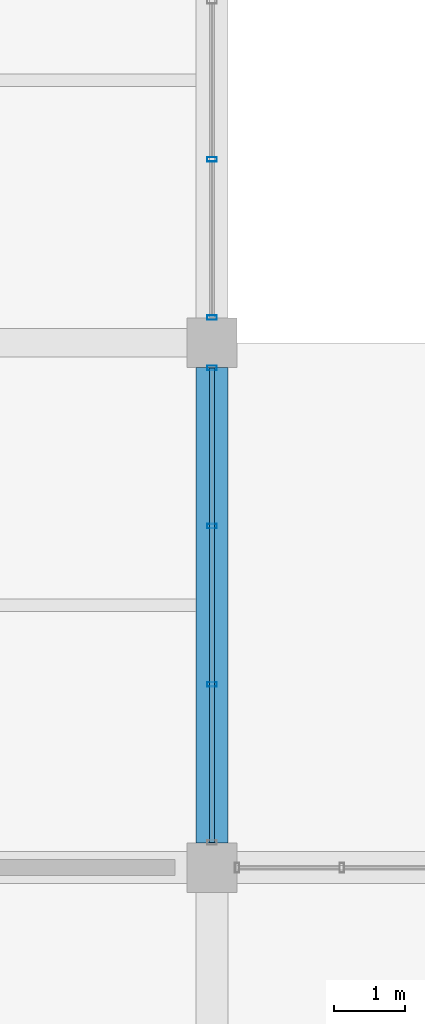
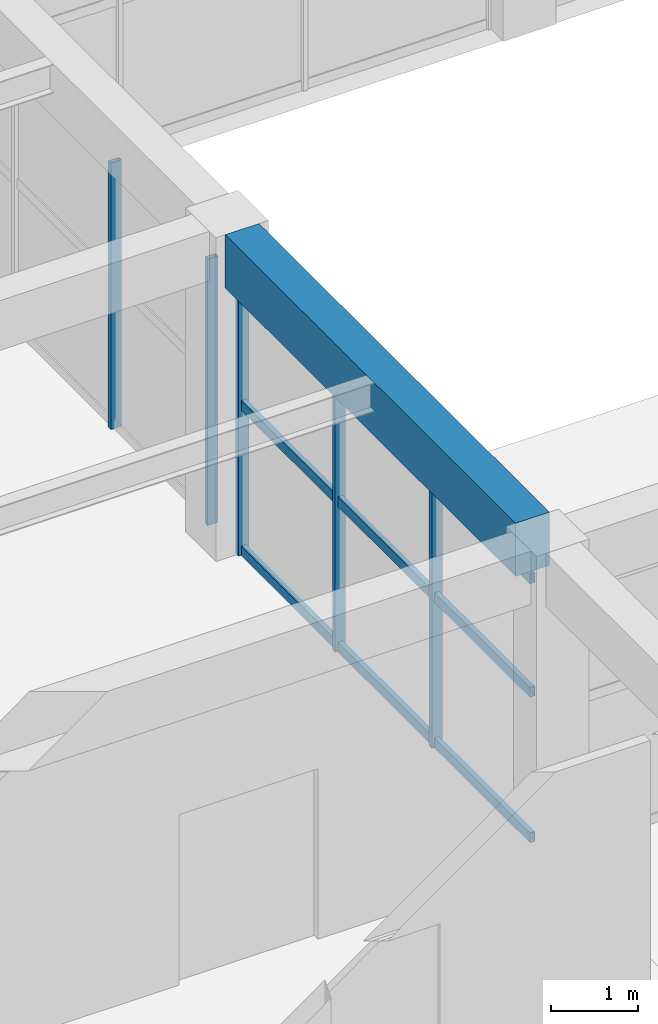
# One storey, part 24 of 161: 8 members, 1 beam, 2 elements without a shape of their own.
"""IFC4 building model written with IfcOpenShell, lengths in metres."""

from ifc_helpers import new_model, si_unit, direction, frame, origin, origin_2d, place, context, subcontext, project, spatial, rectangle, hollow_rectangle, extrude, material, material_profile, profile_set, type_object, element, aggregate, save


model = new_model("IFC4")

# Units and contexts
model_context = context("Model", 3, precision=1e-05, world=origin(), true_north=direction((0.0, 1.0)))
body_context = subcontext(model_context, "Body", "Model", "MODEL_VIEW")
ifc_project = project(units=[si_unit("LENGTHUNIT", "METRE"), si_unit("AREAUNIT", "SQUARE_METRE"), si_unit("VOLUMEUNIT", "CUBIC_METRE"), si_unit("PLANEANGLEUNIT", "RADIAN"), si_unit("MASSUNIT", "GRAM", prefix="KILO")], contexts=[model_context])

# Site, building, storey
site_placement = place(None, origin())
site = spatial("IfcSite", under=ifc_project, at=site_placement, CompositionType="ELEMENT")
building_placement = place(site_placement, origin())
building = spatial("IfcBuilding", under=site, at=building_placement, Name="Cimatlan Art Gallery", CompositionType="ELEMENT")
storey_placement = place(building_placement, frame((0.0, 0.0, 5.39990234375)))
storey = spatial("IfcBuildingStorey", under=building, at=storey_placement, Name="L01", CompositionType="ELEMENT", Elevation=5.39990234375)

# Beam
ifc_material_1 = material(Name="Concrete C40/50", Category="concrete")
ifc_material_profile_1 = material_profile(ifc_material_1, rectangle(XDim=0.449951171875, YDim=0.75, at=origin_2d()), Name="RC450X750")
ifc_profile_set_1 = profile_set([ifc_material_profile_1], Name="Concrete C40/50")
beam_type = type_object("IfcBeamType", Name="BM-RC-450X750", PredefinedType="BEAM", material=ifc_profile_set_1)
beam_placement = place(storey_placement, frame((50.60009765625, 39.050048828125, 4.18505859375), z_axis=(0.0, 1.0, 0.0), x_axis=(-1.0, 0.0, 0.0)))
element("IfcBeam", 1, at=beam_placement, inside=storey, type_object=beam_type, Name="BM-Y-L01-06-05", PredefinedType="BEAM", context=body_context, shape_type="SweptSolid", body=[
    extrude(rectangle(XDim=0.449951171875, YDim=0.75, at=origin_2d()), origin(), (0.0, 0.0, 1.0), 6.699951171875),
])

# Curtain wall, members
ifc_material_2 = material(Name="Anodised bronze unitised curtain wall")
curtain_wall_type_1 = type_object("IfcCurtainWallType", Name="CW-V-06692X03765-B3", PredefinedType="NOTDEFINED", material=ifc_material_2)
curtain_wall_1_placement = place(storey_placement, origin())
curtain_wall_1 = element("IfcCurtainWall", 2, at=curtain_wall_1_placement, inside=storey, type_object=curtain_wall_type_1, Name="CW-L01-05-05-E", PredefinedType="NOTDEFINED")
ifc_material_3 = material(Name="Anodised bronze aluminium 6063-T6", Category="aluminium")
ifc_material_profile_2 = material_profile(ifc_material_3, hollow_rectangle(XDim=0.06494140625, YDim=0.139892578125, WallThickness=0.00390625, at=origin_2d()), Name="ALU65X140X4")
ifc_profile_set_2 = profile_set([ifc_material_profile_2], Name="Anodised bronze aluminium 6063-T6")
member_type_1 = type_object("IfcMemberType", Name="CW-MUL-140", PredefinedType="MULLION", material=ifc_profile_set_2)
member_1_placement = place(storey_placement, frame((50.60009765625, 45.74609375, 0.0), z_axis=(0.0, 0.0, 1.0), x_axis=(0.0, 1.0, 0.0)))
member_1 = element("IfcMember", 3, at=member_1_placement, type_object=member_type_1, Name="CW-L01-05-05-E-M1", PredefinedType="MULLION", context=body_context, shape_type="SweptSolid", body=[
    extrude(hollow_rectangle(XDim=0.06494140625, YDim=0.139892578125, WallThickness=0.00390625, at=origin_2d()), origin(), (0.0, 0.0, 1.0), 3.76513671875),
])
member_2_placement = place(storey_placement, frame((50.60009765625, 43.515380859375, 0.0), z_axis=(0.0, 0.0, 1.0), x_axis=(0.0, 1.0, 0.0)))
member_2 = element("IfcMember", 4, at=member_2_placement, type_object=member_type_1, Name="CW-L01-05-05-E-M2", PredefinedType="MULLION", context=body_context, shape_type="SweptSolid", body=[
    extrude(hollow_rectangle(XDim=0.06494140625, YDim=0.139892578125, WallThickness=0.00390625, at=origin_2d()), origin(), (0.0, 0.0, 1.0), 3.76513671875),
])
member_3_placement = place(storey_placement, frame((50.60009765625, 41.28466796875, 0.0), z_axis=(0.0, 0.0, 1.0), x_axis=(0.0, 1.0, 0.0)))
member_3 = element("IfcMember", 5, at=member_3_placement, type_object=member_type_1, Name="CW-L01-05-05-E-M3", PredefinedType="MULLION", context=body_context, shape_type="SweptSolid", body=[
    extrude(hollow_rectangle(XDim=0.06494140625, YDim=0.139892578125, WallThickness=0.00390625, at=origin_2d()), origin(), (0.0, 0.0, 1.0), 3.76513671875),
])

curtain_wall_type_2 = type_object("IfcCurtainWallType", Name="CW-V-06692X03750-B3", PredefinedType="NOTDEFINED", material=ifc_material_2)
curtain_wall_2_placement = place(storey_placement, origin())
curtain_wall_2 = element("IfcCurtainWall", 6, at=curtain_wall_2_placement, inside=storey, type_object=curtain_wall_type_2, Name="CW-L01-05-06-E", PredefinedType="NOTDEFINED")
member_4_placement = place(storey_placement, frame((50.60009765625, 48.6845703125, 0.0), z_axis=(0.0, 0.0, 1.0), x_axis=(0.0, 1.0, 0.0)))
member_4 = element("IfcMember", 7, at=member_4_placement, type_object=member_type_1, Name="CW-L01-05-06-E-M3", PredefinedType="MULLION", context=body_context, shape_type="SweptSolid", body=[
    extrude(hollow_rectangle(XDim=0.06494140625, YDim=0.139892578125, WallThickness=0.00390625, at=origin_2d()), origin(), (0.0, 0.0, 1.0), 3.75),
])
member_5_placement = place(storey_placement, frame((50.60009765625, 46.4541015625, 0.0), z_axis=(0.0, 0.0, 1.0), x_axis=(0.0, 1.0, 0.0)))
member_5 = element("IfcMember", 8, at=member_5_placement, type_object=member_type_1, Name="CW-L01-05-06-E-M4", PredefinedType="MULLION", context=body_context, shape_type="SweptSolid", body=[
    extrude(hollow_rectangle(XDim=0.06494140625, YDim=0.139892578125, WallThickness=0.00390625, at=origin_2d()), origin(), (0.0, 0.0, 1.0), 3.75),
])
aggregate(curtain_wall_2, [member_4, member_5])

# Member
ifc_material_profile_3 = material_profile(ifc_material_3, hollow_rectangle(XDim=0.06494140625, YDim=0.139892578125, WallThickness=0.00390625, at=origin_2d()), Name="ALU65X140X4")
ifc_profile_set_3 = profile_set([ifc_material_profile_3], Name="Anodised bronze aluminium 6063-T6")
member_type_2 = type_object("IfcMemberType", Name="CW-TRN-140", PredefinedType="USERDEFINED", material=ifc_profile_set_3)
member_6_placement = place(storey_placement, frame((50.60009765625, 45.74609375, 0.06005859375), z_axis=(0.0, -1.0, 0.0), x_axis=(1.0, 0.0, 0.0)))
member_6 = element("IfcMember", 9, at=member_6_placement, type_object=member_type_2, Name="CW-L01-05-05-E-T1", ObjectType="TRANSOM", PredefinedType="USERDEFINED", context=body_context, shape_type="SweptSolid", body=[
    extrude(hollow_rectangle(XDim=0.06494140625, YDim=0.139892578125, WallThickness=0.00390625, at=origin_2d()), origin(), (0.0, 0.0, 1.0), 6.692138671875),
])

member_7_placement = place(storey_placement, frame((50.60009765625, 45.74609375, 2.1083984375), z_axis=(0.0, -1.0, 0.0), x_axis=(1.0, 0.0, 0.0)))
member_7 = element("IfcMember", 10, at=member_7_placement, type_object=member_type_2, Name="CW-L01-05-05-E-T2", ObjectType="TRANSOM", PredefinedType="USERDEFINED", context=body_context, shape_type="SweptSolid", body=[
    extrude(hollow_rectangle(XDim=0.06494140625, YDim=0.139892578125, WallThickness=0.00390625, at=origin_2d()), origin(), (0.0, 0.0, 1.0), 6.692138671875),
])

member_8_placement = place(storey_placement, frame((50.60009765625, 45.74609375, 3.705078125), z_axis=(0.0, -1.0, 0.0), x_axis=(1.0, 0.0, 0.0)))
member_8 = element("IfcMember", 11, at=member_8_placement, type_object=member_type_2, Name="CW-L01-05-05-E-T3", ObjectType="TRANSOM", PredefinedType="USERDEFINED", context=body_context, shape_type="SweptSolid", body=[
    extrude(hollow_rectangle(XDim=0.06494140625, YDim=0.139892578125, WallThickness=0.00390625, at=origin_2d()), origin(), (0.0, 0.0, 1.0), 6.692138671875),
])

aggregate(curtain_wall_1, [member_1, member_2, member_3, member_6, member_7, member_8])

save(model, "model.ifc")
